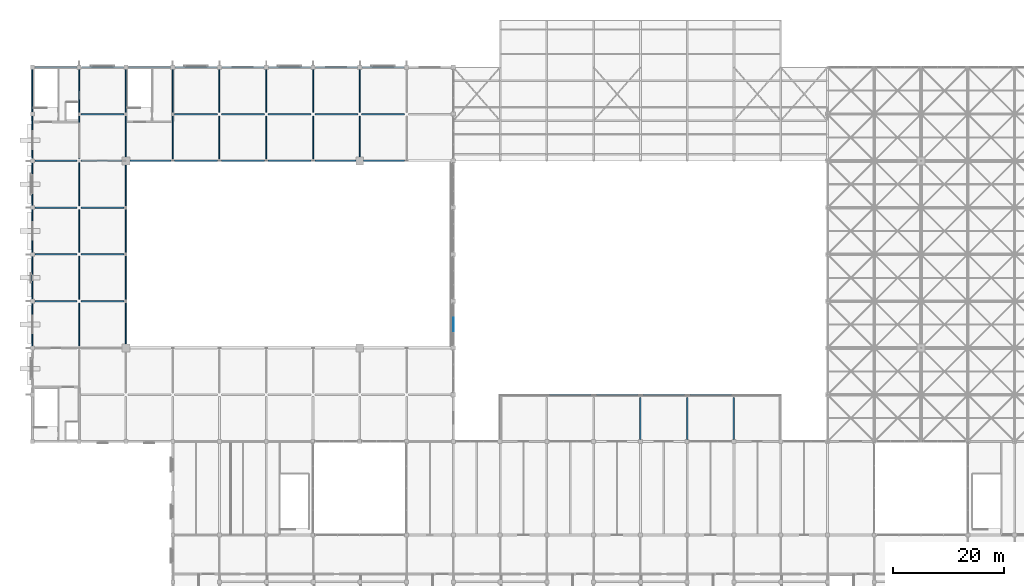
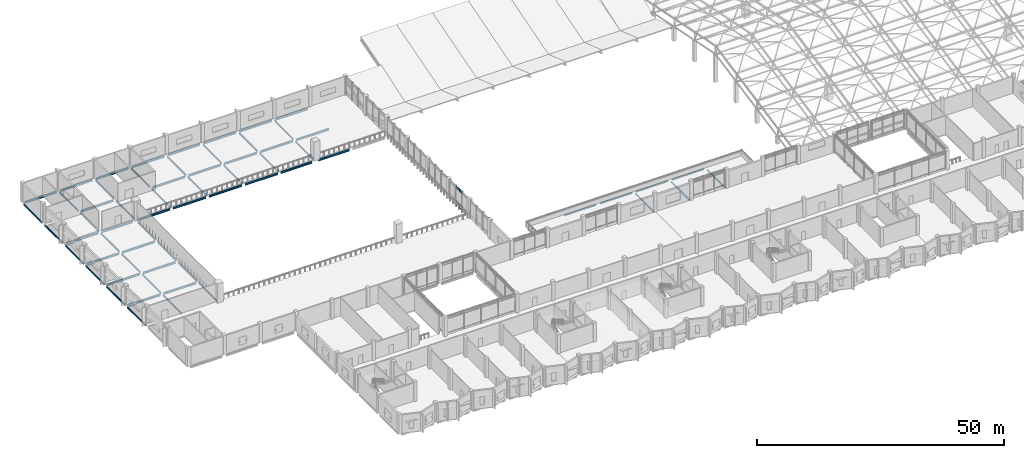
# One storey, part 13 of 110: 63 beams, 4 members, 1 element without a shape of its own.
"""IFC4 building model written with IfcOpenShell, lengths in metres."""

from ifc_helpers import new_model, si_unit, direction, frame, origin, origin_2d, place, context, subcontext, project, spatial, rectangle, i_section, extrude, material, layer, layer_set, material_profile, profile_set, type_object, element, aggregate, save


model = new_model("IFC4")

# Units and contexts
model_context = context("Model", 3, precision=1e-05, world=origin(), true_north=direction((0.0, 1.0)))
body_context = subcontext(model_context, "Body", "Model", "MODEL_VIEW")
ifc_project = project(units=[si_unit("LENGTHUNIT", "METRE"), si_unit("AREAUNIT", "SQUARE_METRE"), si_unit("VOLUMEUNIT", "CUBIC_METRE"), si_unit("PLANEANGLEUNIT", "RADIAN"), si_unit("MASSUNIT", "GRAM", prefix="KILO")], contexts=[model_context])

# Site, building, storey
site_placement = place(None, origin())
site = spatial("IfcSite", under=ifc_project, at=site_placement, CompositionType="ELEMENT")
building_placement = place(site_placement, origin())
building = spatial("IfcBuilding", under=site, at=building_placement, Name="Qawsi Khor Wholesale Market", CompositionType="ELEMENT")
storey_placement = place(building_placement, frame((0.0, 0.0, 11.39990234375)))
storey = spatial("IfcBuildingStorey", under=building, at=storey_placement, Name="L02", CompositionType="ELEMENT", Elevation=11.39990234375)

# Curtain wall, members
ifc_material_1 = material(Name="Aluminium Anodised Bronze", Category="aluminium")
ifc_layer = layer(ifc_material_1, 0.199951171875, Name="Aluminium Anodised Bronze")
ifc_layer_set = layer_set([ifc_layer], Name="Aluminium Anodised Bronze")
curtain_wall_type = type_object("IfcCurtainWallType", Name="Trading Hall North-Light Curtain Wall CW-03", PredefinedType="NOTDEFINED", material=ifc_layer_set)
curtain_wall_placement = place(storey_placement, origin())
curtain_wall = element("IfcCurtainWall", 1, at=curtain_wall_placement, inside=storey, type_object=curtain_wall_type, Name="Curtain wall CW-CW-03-L02-079", PredefinedType="NOTDEFINED")
ifc_material_profile_1 = material_profile(ifc_material_1, rectangle(XDim=0.070068359375, YDim=0.14990234375, at=origin_2d()), Name="ALU TRANSOM 70x150")
ifc_profile_set_1 = profile_set([ifc_material_profile_1], Name="Aluminium Anodised Bronze")
member_type = type_object("IfcMemberType", Name="Curtain Wall Transom CW-03 ALU TRANSOM 70x150", PredefinedType="USERDEFINED", material=ifc_profile_set_1)
member_1_placement = place(storey_placement, frame((75.60009765625, 61.757568359375, 0.0), z_axis=(0.0, 1.0, 0.0), x_axis=(-1.0, 0.0, 0.0)))
member_1 = element("IfcMember", 2, at=member_1_placement, type_object=member_type, Name="Transom CW-CW-03-L02-079-T0_01", ObjectType="TRANSOM", PredefinedType="USERDEFINED", context=body_context, shape_type="SweptSolid", body=[
    extrude(rectangle(XDim=0.070068359375, YDim=0.14990234375, at=origin_2d()), origin(), (0.0, 0.0, 1.0), 2.48486328125),
])
member_2_placement = place(storey_placement, frame((75.60009765625, 61.757568359375, 0.85009765625), z_axis=(0.0, 1.0, 0.0), x_axis=(-1.0, 0.0, 0.0)))
member_2 = element("IfcMember", 3, at=member_2_placement, type_object=member_type, Name="Transom CW-CW-03-L02-079-T1_01", ObjectType="TRANSOM", PredefinedType="USERDEFINED", context=body_context, shape_type="SweptSolid", body=[
    extrude(rectangle(XDim=0.070068359375, YDim=0.14990234375, at=origin_2d()), origin(), (0.0, 0.0, 1.0), 2.48486328125),
])
member_3_placement = place(storey_placement, frame((75.60009765625, 61.757568359375, 4.070068359375), z_axis=(0.0, 1.0, 0.0), x_axis=(-1.0, 0.0, 0.0)))
member_3 = element("IfcMember", 4, at=member_3_placement, type_object=member_type, Name="Transom CW-CW-03-L02-079-T2_01", ObjectType="TRANSOM", PredefinedType="USERDEFINED", context=body_context, shape_type="SweptSolid", body=[
    extrude(rectangle(XDim=0.070068359375, YDim=0.14990234375, at=origin_2d()), origin(), (0.0, 0.0, 1.0), 2.48486328125),
])
member_4_placement = place(storey_placement, frame((75.60009765625, 61.757568359375, 4.52001953125), z_axis=(0.0, 1.0, 0.0), x_axis=(-1.0, 0.0, 0.0)))
member_4 = element("IfcMember", 5, at=member_4_placement, type_object=member_type, Name="Transom CW-CW-03-L02-079-T3_01", ObjectType="TRANSOM", PredefinedType="USERDEFINED", context=body_context, shape_type="SweptSolid", body=[
    extrude(rectangle(XDim=0.070068359375, YDim=0.14990234375, at=origin_2d()), origin(), (0.0, 0.0, 1.0), 2.48486328125),
])
aggregate(curtain_wall, [member_1, member_2, member_3, member_4])

# Beams
ifc_material_2 = material(Name="Steel S355", Category="steel")
ifc_material_profile_2 = material_profile(ifc_material_2, i_section(OverallWidth=0.280029296875, OverallDepth=0.27001953125, WebThickness=0.008056640625, FlangeThickness=0.012939453125, FilletRadius=0.02392578125, at=origin_2d()), Name="HEA 280")
ifc_profile_set_2 = profile_set([ifc_material_profile_2], Name="Steel S355")
beam_type_1 = type_object("IfcBeamType", Name="Primary Girder HEA 280", PredefinedType="BEAM", material=ifc_profile_set_2)
for number, where, z_axis, x_axis, name in (
    (6, (109.199951171875, 42.39990234375, -0.385009765625), (0.0, 1.0, 0.0), (-1.0, 0.0, 0.0), "BM-Y-L02-13_+05"),
    (7, (117.60009765625, 42.39990234375, -0.385009765625), (0.0, 1.0, 0.0), (-1.0, 0.0, 0.0), "BM-Y-L02-14_+05"),
    (8, (126.0, 42.39990234375, -0.385009765625), (0.0, 1.0, 0.0), (-1.0, 0.0, 0.0), "BM-Y-L02-15_+05"),
):
    element("IfcBeam", number, at=place(storey_placement, frame(where, z_axis=z_axis, x_axis=x_axis)), inside=storey, type_object=beam_type_1, Name=name, PredefinedType="BEAM", context=body_context, shape_type="SweptSolid", body=[
        extrude(i_section(OverallWidth=0.280029296875, OverallDepth=0.27001953125, WebThickness=0.008056640625, FlangeThickness=0.012939453125, FilletRadius=0.02392578125, at=origin_2d()), origin(), (0.0, 0.0, 1.0), 7.525146484375),
    ])
ifc_material_profile_3 = material_profile(ifc_material_2, i_section(OverallWidth=0.300048828125, OverallDepth=0.489990234375, WebThickness=0.011962890625, FlangeThickness=0.02294921875, FilletRadius=0.027099609375, at=origin_2d()), Name="HEA 500")
ifc_profile_set_3 = profile_set([ifc_material_profile_3], Name="Steel S355")
beam_type_2 = type_object("IfcBeamType", Name="Primary Girder HEA 500", PredefinedType="BEAM", material=ifc_profile_set_3)
for number, where, z_axis, x_axis, name in (
    (9, (0.425048828125, 67.199951171875, -0.514892578125), (1.0, 0.0, 0.0), (0.0, 1.0, 0.0), "BM-X-L02-00_+08"),
    (10, (0.425048828125, 75.60009765625, -0.514892578125), (1.0, 0.0, 0.0), (0.0, 1.0, 0.0), "BM-X-L02-00_+09"),
    (11, (0.425048828125, 84.0, -0.514892578125), (1.0, 0.0, 0.0), (0.0, 1.0, 0.0), "BM-X-L02-00_+10"),
    (12, (0.425048828125, 92.39990234375, -0.514892578125), (1.0, 0.0, 0.0), (0.0, 1.0, 0.0), "BM-X-L02-00_+11"),
):
    element("IfcBeam", number, at=place(storey_placement, frame(where, z_axis=z_axis, x_axis=x_axis)), inside=storey, type_object=beam_type_2, Name=name, PredefinedType="BEAM", context=body_context, shape_type="SweptSolid", body=[
        extrude(i_section(OverallWidth=0.300048828125, OverallDepth=0.489990234375, WebThickness=0.011962890625, FlangeThickness=0.02294921875, FilletRadius=0.027099609375, at=origin_2d()), origin(), (0.0, 0.0, 1.0), 7.625),
    ])
beam_1_placement = place(storey_placement, frame((0.449951171875, 109.199951171875, -0.52490234375), z_axis=(1.0, 0.0, 0.0), x_axis=(0.0, 1.0, 0.0)))
element("IfcBeam", 13, at=beam_1_placement, inside=storey, type_object=beam_type_2, Name="BM-X-L02-00_+13", PredefinedType="BEAM", context=body_context, shape_type="SweptSolid", body=[
    extrude(i_section(OverallWidth=0.300048828125, OverallDepth=0.489990234375, WebThickness=0.011962890625, FlangeThickness=0.02294921875, FilletRadius=0.027099609375, at=origin_2d()), origin(), (0.0, 0.0, 1.0), 7.525146484375),
])
for number, where, z_axis, x_axis, name in (
    (14, (8.75, 67.199951171875, -0.514892578125), (1.0, 0.0, 0.0), (0.0, 1.0, 0.0), "BM-X-L02-01_+08"),
    (15, (8.75, 75.60009765625, -0.514892578125), (1.0, 0.0, 0.0), (0.0, 1.0, 0.0), "BM-X-L02-01_+09"),
    (16, (8.75, 84.0, -0.514892578125), (1.0, 0.0, 0.0), (0.0, 1.0, 0.0), "BM-X-L02-01_+10"),
):
    element("IfcBeam", number, at=place(storey_placement, frame(where, z_axis=z_axis, x_axis=x_axis)), inside=storey, type_object=beam_type_2, Name=name, PredefinedType="BEAM", context=body_context, shape_type="SweptSolid", body=[
        extrude(i_section(OverallWidth=0.300048828125, OverallDepth=0.489990234375, WebThickness=0.011962890625, FlangeThickness=0.02294921875, FilletRadius=0.027099609375, at=origin_2d()), origin(), (0.0, 0.0, 1.0), 7.699951171875),
    ])
beam_2_placement = place(storey_placement, frame((8.75, 92.39990234375, -0.514892578125), z_axis=(1.0, 0.0, 0.0), x_axis=(0.0, 1.0, 0.0)))
element("IfcBeam", 17, at=beam_2_placement, inside=storey, type_object=beam_type_2, Name="BM-X-L02-01_+11", PredefinedType="BEAM", context=body_context, shape_type="SweptSolid", body=[
    extrude(i_section(OverallWidth=0.300048828125, OverallDepth=0.489990234375, WebThickness=0.011962890625, FlangeThickness=0.02294921875, FilletRadius=0.027099609375, at=origin_2d()), origin(), (0.0, 0.0, 1.0), 7.35009765625),
])
beam_3_placement = place(storey_placement, frame((8.75, 100.800048828125, -0.514892578125), z_axis=(1.0, 0.0, 0.0), x_axis=(0.0, 1.0, 0.0)))
element("IfcBeam", 18, at=beam_3_placement, inside=storey, type_object=beam_type_2, Name="BM-X-L02-01_+12", PredefinedType="BEAM", context=body_context, shape_type="SweptSolid", body=[
    extrude(i_section(OverallWidth=0.300048828125, OverallDepth=0.489990234375, WebThickness=0.011962890625, FlangeThickness=0.02294921875, FilletRadius=0.027099609375, at=origin_2d()), origin(), (0.0, 0.0, 1.0), 7.699951171875),
])
beam_4_placement = place(storey_placement, frame((8.824951171875, 109.199951171875, -0.514892578125), z_axis=(1.0, 0.0, 0.0), x_axis=(0.0, 1.0, 0.0)))
element("IfcBeam", 19, at=beam_4_placement, inside=storey, type_object=beam_type_2, Name="BM-X-L02-01_+13", PredefinedType="BEAM", context=body_context, shape_type="SweptSolid", body=[
    extrude(i_section(OverallWidth=0.300048828125, OverallDepth=0.489990234375, WebThickness=0.011962890625, FlangeThickness=0.02294921875, FilletRadius=0.027099609375, at=origin_2d()), origin(), (0.0, 0.0, 1.0), 7.550048828125),
])
beam_5_placement = place(storey_placement, frame((17.5, 92.39990234375, -0.514892578125), z_axis=(1.0, 0.0, 0.0), x_axis=(0.0, 1.0, 0.0)))
element("IfcBeam", 20, at=beam_5_placement, inside=storey, type_object=beam_type_2, Name="BM-X-L02-02_+11", PredefinedType="BEAM", context=body_context, shape_type="SweptSolid", body=[
    extrude(i_section(OverallWidth=0.300048828125, OverallDepth=0.489990234375, WebThickness=0.011962890625, FlangeThickness=0.02294921875, FilletRadius=0.027099609375, at=origin_2d()), origin(), (0.0, 0.0, 1.0), 7.35009765625),
])
beam_6_placement = place(storey_placement, frame((17.22509765625, 109.199951171875, -0.52490234375), z_axis=(1.0, 0.0, 0.0), x_axis=(0.0, 1.0, 0.0)))
element("IfcBeam", 21, at=beam_6_placement, inside=storey, type_object=beam_type_2, Name="BM-X-L02-02_+13", PredefinedType="BEAM", context=body_context, shape_type="SweptSolid", body=[
    extrude(i_section(OverallWidth=0.300048828125, OverallDepth=0.489990234375, WebThickness=0.011962890625, FlangeThickness=0.02294921875, FilletRadius=0.027099609375, at=origin_2d()), origin(), (0.0, 0.0, 1.0), 7.5498046875),
])
for number, where, z_axis, x_axis, name in (
    (22, (25.550048828125, 92.39990234375, -0.514892578125), (1.0, 0.0, 0.0), (0.0, 1.0, 0.0), "BM-X-L02-03_+11"),
    (23, (25.550048828125, 100.800048828125, -0.514892578125), (1.0, 0.0, 0.0), (0.0, 1.0, 0.0), "BM-X-L02-03_+12"),
):
    element("IfcBeam", number, at=place(storey_placement, frame(where, z_axis=z_axis, x_axis=x_axis)), inside=storey, type_object=beam_type_2, Name=name, PredefinedType="BEAM", context=body_context, shape_type="SweptSolid", body=[
        extrude(i_section(OverallWidth=0.300048828125, OverallDepth=0.489990234375, WebThickness=0.011962890625, FlangeThickness=0.02294921875, FilletRadius=0.027099609375, at=origin_2d()), origin(), (0.0, 0.0, 1.0), 7.699951171875),
    ])
beam_7_placement = place(storey_placement, frame((25.625, 109.199951171875, -0.514892578125), z_axis=(1.0, 0.0, 0.0), x_axis=(0.0, 1.0, 0.0)))
element("IfcBeam", 24, at=beam_7_placement, inside=storey, type_object=beam_type_2, Name="BM-X-L02-03_+13", PredefinedType="BEAM", context=body_context, shape_type="SweptSolid", body=[
    extrude(i_section(OverallWidth=0.300048828125, OverallDepth=0.489990234375, WebThickness=0.011962890625, FlangeThickness=0.02294921875, FilletRadius=0.027099609375, at=origin_2d()), origin(), (0.0, 0.0, 1.0), 7.550048828125),
])
for number, where, z_axis, x_axis, name in (
    (25, (33.949951171875, 92.39990234375, -0.514892578125), (1.0, 0.0, 0.0), (0.0, 1.0, 0.0), "BM-X-L02-04_+11"),
    (26, (33.949951171875, 100.800048828125, -0.514892578125), (1.0, 0.0, 0.0), (0.0, 1.0, 0.0), "BM-X-L02-04_+12"),
):
    element("IfcBeam", number, at=place(storey_placement, frame(where, z_axis=z_axis, x_axis=x_axis)), inside=storey, type_object=beam_type_2, Name=name, PredefinedType="BEAM", context=body_context, shape_type="SweptSolid", body=[
        extrude(i_section(OverallWidth=0.300048828125, OverallDepth=0.489990234375, WebThickness=0.011962890625, FlangeThickness=0.02294921875, FilletRadius=0.027099609375, at=origin_2d()), origin(), (0.0, 0.0, 1.0), 7.699951171875),
    ])
beam_8_placement = place(storey_placement, frame((34.02490234375, 109.199951171875, -0.514892578125), z_axis=(1.0, 0.0, 0.0), x_axis=(0.0, 1.0, 0.0)))
element("IfcBeam", 27, at=beam_8_placement, inside=storey, type_object=beam_type_2, Name="BM-X-L02-04_+13", PredefinedType="BEAM", context=body_context, shape_type="SweptSolid", body=[
    extrude(i_section(OverallWidth=0.300048828125, OverallDepth=0.489990234375, WebThickness=0.011962890625, FlangeThickness=0.02294921875, FilletRadius=0.027099609375, at=origin_2d()), origin(), (0.0, 0.0, 1.0), 7.550048828125),
])
for number, where, z_axis, x_axis, name in (
    (28, (42.35009765625, 92.39990234375, -0.514892578125), (1.0, 0.0, 0.0), (0.0, 1.0, 0.0), "BM-X-L02-05_+11"),
    (29, (42.35009765625, 100.800048828125, -0.514892578125), (1.0, 0.0, 0.0), (0.0, 1.0, 0.0), "BM-X-L02-05_+12"),
):
    element("IfcBeam", number, at=place(storey_placement, frame(where, z_axis=z_axis, x_axis=x_axis)), inside=storey, type_object=beam_type_2, Name=name, PredefinedType="BEAM", context=body_context, shape_type="SweptSolid", body=[
        extrude(i_section(OverallWidth=0.300048828125, OverallDepth=0.489990234375, WebThickness=0.011962890625, FlangeThickness=0.02294921875, FilletRadius=0.027099609375, at=origin_2d()), origin(), (0.0, 0.0, 1.0), 7.699951171875),
    ])
beam_9_placement = place(storey_placement, frame((42.425048828125, 109.199951171875, -0.514892578125), z_axis=(1.0, 0.0, 0.0), x_axis=(0.0, 1.0, 0.0)))
element("IfcBeam", 30, at=beam_9_placement, inside=storey, type_object=beam_type_2, Name="BM-X-L02-05_+13", PredefinedType="BEAM", context=body_context, shape_type="SweptSolid", body=[
    extrude(i_section(OverallWidth=0.300048828125, OverallDepth=0.489990234375, WebThickness=0.011962890625, FlangeThickness=0.02294921875, FilletRadius=0.027099609375, at=origin_2d()), origin(), (0.0, 0.0, 1.0), 7.550048828125),
])
beam_10_placement = place(storey_placement, frame((50.75, 92.39990234375, -0.514892578125), z_axis=(1.0, 0.0, 0.0), x_axis=(0.0, 1.0, 0.0)))
element("IfcBeam", 31, at=beam_10_placement, inside=storey, type_object=beam_type_2, Name="BM-X-L02-06_+11", PredefinedType="BEAM", context=body_context, shape_type="SweptSolid", body=[
    extrude(i_section(OverallWidth=0.300048828125, OverallDepth=0.489990234375, WebThickness=0.011962890625, FlangeThickness=0.02294921875, FilletRadius=0.027099609375, at=origin_2d()), origin(), (0.0, 0.0, 1.0), 7.35009765625),
])
beam_11_placement = place(storey_placement, frame((50.75, 100.800048828125, -0.514892578125), z_axis=(1.0, 0.0, 0.0), x_axis=(0.0, 1.0, 0.0)))
element("IfcBeam", 32, at=beam_11_placement, inside=storey, type_object=beam_type_2, Name="BM-X-L02-06_+12", PredefinedType="BEAM", context=body_context, shape_type="SweptSolid", body=[
    extrude(i_section(OverallWidth=0.300048828125, OverallDepth=0.489990234375, WebThickness=0.011962890625, FlangeThickness=0.02294921875, FilletRadius=0.027099609375, at=origin_2d()), origin(), (0.0, 0.0, 1.0), 7.699951171875),
])
beam_12_placement = place(storey_placement, frame((50.824951171875, 109.199951171875, -0.514892578125), z_axis=(1.0, 0.0, 0.0), x_axis=(0.0, 1.0, 0.0)))
element("IfcBeam", 33, at=beam_12_placement, inside=storey, type_object=beam_type_2, Name="BM-X-L02-06_+13", PredefinedType="BEAM", context=body_context, shape_type="SweptSolid", body=[
    extrude(i_section(OverallWidth=0.300048828125, OverallDepth=0.489990234375, WebThickness=0.011962890625, FlangeThickness=0.02294921875, FilletRadius=0.027099609375, at=origin_2d()), origin(), (0.0, 0.0, 1.0), 7.550048828125),
])
beam_13_placement = place(storey_placement, frame((59.5, 92.39990234375, -0.514892578125), z_axis=(1.0, 0.0, 0.0), x_axis=(0.0, 1.0, 0.0)))
element("IfcBeam", 34, at=beam_13_placement, inside=storey, type_object=beam_type_2, Name="BM-X-L02-07_+11", PredefinedType="BEAM", context=body_context, shape_type="SweptSolid", body=[
    extrude(i_section(OverallWidth=0.300048828125, OverallDepth=0.489990234375, WebThickness=0.011962890625, FlangeThickness=0.02294921875, FilletRadius=0.027099609375, at=origin_2d()), origin(), (0.0, 0.0, 1.0), 7.35009765625),
])
beam_14_placement = place(storey_placement, frame((59.14990234375, 100.800048828125, -0.514892578125), z_axis=(1.0, 0.0, 0.0), x_axis=(0.0, 1.0, 0.0)))
element("IfcBeam", 35, at=beam_14_placement, inside=storey, type_object=beam_type_2, Name="BM-X-L02-07_+12", PredefinedType="BEAM", context=body_context, shape_type="SweptSolid", body=[
    extrude(i_section(OverallWidth=0.300048828125, OverallDepth=0.489990234375, WebThickness=0.011962890625, FlangeThickness=0.02294921875, FilletRadius=0.027099609375, at=origin_2d()), origin(), (0.0, 0.0, 1.0), 7.7001953125),
])
beam_15_placement = place(storey_placement, frame((59.22509765625, 109.199951171875, -0.514892578125), z_axis=(1.0, 0.0, 0.0), x_axis=(0.0, 1.0, 0.0)))
element("IfcBeam", 36, at=beam_15_placement, inside=storey, type_object=beam_type_2, Name="BM-X-L02-07_+13", PredefinedType="BEAM", context=body_context, shape_type="SweptSolid", body=[
    extrude(i_section(OverallWidth=0.300048828125, OverallDepth=0.489990234375, WebThickness=0.011962890625, FlangeThickness=0.02294921875, FilletRadius=0.027099609375, at=origin_2d()), origin(), (0.0, 0.0, 1.0), 7.5498046875),
])
ifc_material_profile_4 = material_profile(ifc_material_2, i_section(OverallWidth=0.179931640625, OverallDepth=0.39990234375, WebThickness=0.008544921875, FlangeThickness=0.013427734375, FilletRadius=0.02099609375, at=origin_2d()), Name="IPE 400")
ifc_profile_set_4 = profile_set([ifc_material_profile_4], Name="Steel S355")
beam_type_3 = type_object("IfcBeamType", Name="Secondary Beam IPE 400", PredefinedType="BEAM", material=ifc_profile_set_4)
beam_16_placement = place(storey_placement, frame((0.0, 59.22509765625, -0.469970703125), z_axis=(0.0, 1.0, 0.0), x_axis=(-1.0, 0.0, 0.0)))
element("IfcBeam", 37, at=beam_16_placement, inside=storey, type_object=beam_type_3, Name="BM-Y-L02-00_+07", PredefinedType="BEAM", context=body_context, shape_type="SweptSolid", body=[
    extrude(i_section(OverallWidth=0.179931640625, OverallDepth=0.39990234375, WebThickness=0.008544921875, FlangeThickness=0.013427734375, FilletRadius=0.02099609375, at=origin_2d()), origin(), (0.0, 0.0, 1.0), 7.5498046875),
])
for number, where, z_axis, x_axis, name in (
    (38, (0.0, 67.625, -0.469970703125), (0.0, 1.0, 0.0), (-1.0, 0.0, 0.0), "BM-Y-L02-00_+08"),
    (39, (0.0, 76.02490234375, -0.469970703125), (0.0, 1.0, 0.0), (-1.0, 0.0, 0.0), "BM-Y-L02-00_+09"),
    (40, (0.0, 84.425048828125, -0.469970703125), (0.0, 1.0, 0.0), (-1.0, 0.0, 0.0), "BM-Y-L02-00_+10"),
    (41, (0.0, 92.824951171875, -0.469970703125), (0.0, 1.0, 0.0), (-1.0, 0.0, 0.0), "BM-Y-L02-00_+11"),
):
    element("IfcBeam", number, at=place(storey_placement, frame(where, z_axis=z_axis, x_axis=x_axis)), inside=storey, type_object=beam_type_3, Name=name, PredefinedType="BEAM", context=body_context, shape_type="SweptSolid", body=[
        extrude(i_section(OverallWidth=0.179931640625, OverallDepth=0.39990234375, WebThickness=0.008544921875, FlangeThickness=0.013427734375, FilletRadius=0.02099609375, at=origin_2d()), origin(), (0.0, 0.0, 1.0), 7.550048828125),
    ])
beam_17_placement = place(storey_placement, frame((0.0, 101.22509765625, -0.47998046875), z_axis=(0.0, 1.0, 0.0), x_axis=(-1.0, 0.0, 0.0)))
element("IfcBeam", 42, at=beam_17_placement, inside=storey, type_object=beam_type_3, Name="BM-Y-L02-00_+12", PredefinedType="BEAM", context=body_context, shape_type="SweptSolid", body=[
    extrude(i_section(OverallWidth=0.179931640625, OverallDepth=0.39990234375, WebThickness=0.008544921875, FlangeThickness=0.013427734375, FilletRadius=0.02099609375, at=origin_2d()), origin(), (0.0, 0.0, 1.0), 7.52490234375),
])
beam_18_placement = place(storey_placement, frame((8.39990234375, 59.14990234375, -0.469970703125), z_axis=(0.0, 1.0, 0.0), x_axis=(-1.0, 0.0, 0.0)))
element("IfcBeam", 43, at=beam_18_placement, inside=storey, type_object=beam_type_3, Name="BM-Y-L02-01_+07", PredefinedType="BEAM", context=body_context, shape_type="SweptSolid", body=[
    extrude(i_section(OverallWidth=0.179931640625, OverallDepth=0.39990234375, WebThickness=0.008544921875, FlangeThickness=0.013427734375, FilletRadius=0.02099609375, at=origin_2d()), origin(), (0.0, 0.0, 1.0), 7.7001953125),
])
for number, where, z_axis, x_axis, name in (
    (44, (8.39990234375, 67.550048828125, -0.469970703125), (0.0, 1.0, 0.0), (-1.0, 0.0, 0.0), "BM-Y-L02-01_+08"),
    (45, (8.39990234375, 75.949951171875, -0.469970703125), (0.0, 1.0, 0.0), (-1.0, 0.0, 0.0), "BM-Y-L02-01_+09"),
    (46, (8.39990234375, 84.35009765625, -0.469970703125), (0.0, 1.0, 0.0), (-1.0, 0.0, 0.0), "BM-Y-L02-01_+10"),
    (47, (8.39990234375, 92.75, -0.469970703125), (0.0, 1.0, 0.0), (-1.0, 0.0, 0.0), "BM-Y-L02-01_+11"),
):
    element("IfcBeam", number, at=place(storey_placement, frame(where, z_axis=z_axis, x_axis=x_axis)), inside=storey, type_object=beam_type_3, Name=name, PredefinedType="BEAM", context=body_context, shape_type="SweptSolid", body=[
        extrude(i_section(OverallWidth=0.179931640625, OverallDepth=0.39990234375, WebThickness=0.008544921875, FlangeThickness=0.013427734375, FilletRadius=0.02099609375, at=origin_2d()), origin(), (0.0, 0.0, 1.0), 7.699951171875),
    ])
beam_19_placement = place(storey_placement, frame((8.39990234375, 101.14990234375, -0.47998046875), z_axis=(0.0, 1.0, 0.0), x_axis=(-1.0, 0.0, 0.0)))
element("IfcBeam", 48, at=beam_19_placement, inside=storey, type_object=beam_type_3, Name="BM-Y-L02-01_+12", PredefinedType="BEAM", context=body_context, shape_type="SweptSolid", body=[
    extrude(i_section(OverallWidth=0.179931640625, OverallDepth=0.39990234375, WebThickness=0.008544921875, FlangeThickness=0.013427734375, FilletRadius=0.02099609375, at=origin_2d()), origin(), (0.0, 0.0, 1.0), 7.625),
])
beam_20_placement = place(storey_placement, frame((16.800048828125, 59.5, -0.469970703125), z_axis=(0.0, 1.0, 0.0), x_axis=(-1.0, 0.0, 0.0)))
element("IfcBeam", 49, at=beam_20_placement, inside=storey, type_object=beam_type_3, Name="BM-Y-L02-02_+07", PredefinedType="BEAM", context=body_context, shape_type="SweptSolid", body=[
    extrude(i_section(OverallWidth=0.179931640625, OverallDepth=0.39990234375, WebThickness=0.008544921875, FlangeThickness=0.013427734375, FilletRadius=0.02099609375, at=origin_2d()), origin(), (0.0, 0.0, 1.0), 7.35009765625),
])
for number, where, z_axis, x_axis, name in (
    (50, (16.800048828125, 67.550048828125, -0.469970703125), (0.0, 1.0, 0.0), (-1.0, 0.0, 0.0), "BM-Y-L02-02_+08"),
    (51, (16.800048828125, 75.949951171875, -0.469970703125), (0.0, 1.0, 0.0), (-1.0, 0.0, 0.0), "BM-Y-L02-02_+09"),
):
    element("IfcBeam", number, at=place(storey_placement, frame(where, z_axis=z_axis, x_axis=x_axis)), inside=storey, type_object=beam_type_3, Name=name, PredefinedType="BEAM", context=body_context, shape_type="SweptSolid", body=[
        extrude(i_section(OverallWidth=0.179931640625, OverallDepth=0.39990234375, WebThickness=0.008544921875, FlangeThickness=0.013427734375, FilletRadius=0.02099609375, at=origin_2d()), origin(), (0.0, 0.0, 1.0), 7.699951171875),
    ])
for number, where, z_axis, x_axis, name in (
    (52, (16.800048828125, 84.35009765625, -0.469970703125), (0.0, 1.0, 0.0), (-1.0, 0.0, 0.0), "BM-Y-L02-02_+10"),
    (53, (16.800048828125, 93.10009765625, -0.469970703125), (0.0, 1.0, 0.0), (-1.0, 0.0, 0.0), "BM-Y-L02-02_+11"),
):
    element("IfcBeam", number, at=place(storey_placement, frame(where, z_axis=z_axis, x_axis=x_axis)), inside=storey, type_object=beam_type_3, Name=name, PredefinedType="BEAM", context=body_context, shape_type="SweptSolid", body=[
        extrude(i_section(OverallWidth=0.179931640625, OverallDepth=0.39990234375, WebThickness=0.008544921875, FlangeThickness=0.013427734375, FilletRadius=0.02099609375, at=origin_2d()), origin(), (0.0, 0.0, 1.0), 7.349853515625),
    ])
beam_21_placement = place(storey_placement, frame((16.800048828125, 101.14990234375, -0.47998046875), z_axis=(0.0, 1.0, 0.0), x_axis=(-1.0, 0.0, 0.0)))
element("IfcBeam", 54, at=beam_21_placement, inside=storey, type_object=beam_type_3, Name="BM-Y-L02-02_+12", PredefinedType="BEAM", context=body_context, shape_type="SweptSolid", body=[
    extrude(i_section(OverallWidth=0.179931640625, OverallDepth=0.39990234375, WebThickness=0.008544921875, FlangeThickness=0.013427734375, FilletRadius=0.02099609375, at=origin_2d()), origin(), (0.0, 0.0, 1.0), 7.625),
])
beam_22_placement = place(storey_placement, frame((25.199951171875, 92.75, -0.469970703125), z_axis=(0.0, 1.0, 0.0), x_axis=(-1.0, 0.0, 0.0)))
element("IfcBeam", 55, at=beam_22_placement, inside=storey, type_object=beam_type_3, Name="BM-Y-L02-03_+11", PredefinedType="BEAM", context=body_context, shape_type="SweptSolid", body=[
    extrude(i_section(OverallWidth=0.179931640625, OverallDepth=0.39990234375, WebThickness=0.008544921875, FlangeThickness=0.013427734375, FilletRadius=0.02099609375, at=origin_2d()), origin(), (0.0, 0.0, 1.0), 7.699951171875),
])
beam_23_placement = place(storey_placement, frame((25.199951171875, 101.14990234375, -0.47998046875), z_axis=(0.0, 1.0, 0.0), x_axis=(-1.0, 0.0, 0.0)))
element("IfcBeam", 56, at=beam_23_placement, inside=storey, type_object=beam_type_3, Name="BM-Y-L02-03_+12", PredefinedType="BEAM", context=body_context, shape_type="SweptSolid", body=[
    extrude(i_section(OverallWidth=0.179931640625, OverallDepth=0.39990234375, WebThickness=0.008544921875, FlangeThickness=0.013427734375, FilletRadius=0.02099609375, at=origin_2d()), origin(), (0.0, 0.0, 1.0), 7.625),
])
beam_24_placement = place(storey_placement, frame((33.60009765625, 92.75, -0.469970703125), z_axis=(0.0, 1.0, 0.0), x_axis=(-1.0, 0.0, 0.0)))
element("IfcBeam", 57, at=beam_24_placement, inside=storey, type_object=beam_type_3, Name="BM-Y-L02-04_+11", PredefinedType="BEAM", context=body_context, shape_type="SweptSolid", body=[
    extrude(i_section(OverallWidth=0.179931640625, OverallDepth=0.39990234375, WebThickness=0.008544921875, FlangeThickness=0.013427734375, FilletRadius=0.02099609375, at=origin_2d()), origin(), (0.0, 0.0, 1.0), 7.699951171875),
])
beam_25_placement = place(storey_placement, frame((33.60009765625, 101.14990234375, -0.469970703125), z_axis=(0.0, 1.0, 0.0), x_axis=(-1.0, 0.0, 0.0)))
element("IfcBeam", 58, at=beam_25_placement, inside=storey, type_object=beam_type_3, Name="BM-Y-L02-04_+12", PredefinedType="BEAM", context=body_context, shape_type="SweptSolid", body=[
    extrude(i_section(OverallWidth=0.179931640625, OverallDepth=0.39990234375, WebThickness=0.008544921875, FlangeThickness=0.013427734375, FilletRadius=0.02099609375, at=origin_2d()), origin(), (0.0, 0.0, 1.0), 7.625),
])
beam_26_placement = place(storey_placement, frame((42.0, 92.75, -0.469970703125), z_axis=(0.0, 1.0, 0.0), x_axis=(-1.0, 0.0, 0.0)))
element("IfcBeam", 59, at=beam_26_placement, inside=storey, type_object=beam_type_3, Name="BM-Y-L02-05_+11", PredefinedType="BEAM", context=body_context, shape_type="SweptSolid", body=[
    extrude(i_section(OverallWidth=0.179931640625, OverallDepth=0.39990234375, WebThickness=0.008544921875, FlangeThickness=0.013427734375, FilletRadius=0.02099609375, at=origin_2d()), origin(), (0.0, 0.0, 1.0), 7.699951171875),
])
beam_27_placement = place(storey_placement, frame((42.0, 101.14990234375, -0.469970703125), z_axis=(0.0, 1.0, 0.0), x_axis=(-1.0, 0.0, 0.0)))
element("IfcBeam", 60, at=beam_27_placement, inside=storey, type_object=beam_type_3, Name="BM-Y-L02-05_+12", PredefinedType="BEAM", context=body_context, shape_type="SweptSolid", body=[
    extrude(i_section(OverallWidth=0.179931640625, OverallDepth=0.39990234375, WebThickness=0.008544921875, FlangeThickness=0.013427734375, FilletRadius=0.02099609375, at=origin_2d()), origin(), (0.0, 0.0, 1.0), 7.625),
])
beam_28_placement = place(storey_placement, frame((50.39990234375, 92.75, -0.469970703125), z_axis=(0.0, 1.0, 0.0), x_axis=(-1.0, 0.0, 0.0)))
element("IfcBeam", 61, at=beam_28_placement, inside=storey, type_object=beam_type_3, Name="BM-Y-L02-06_+11", PredefinedType="BEAM", context=body_context, shape_type="SweptSolid", body=[
    extrude(i_section(OverallWidth=0.179931640625, OverallDepth=0.39990234375, WebThickness=0.008544921875, FlangeThickness=0.013427734375, FilletRadius=0.02099609375, at=origin_2d()), origin(), (0.0, 0.0, 1.0), 7.699951171875),
])
beam_29_placement = place(storey_placement, frame((50.39990234375, 101.14990234375, -0.469970703125), z_axis=(0.0, 1.0, 0.0), x_axis=(-1.0, 0.0, 0.0)))
element("IfcBeam", 62, at=beam_29_placement, inside=storey, type_object=beam_type_3, Name="BM-Y-L02-06_+12", PredefinedType="BEAM", context=body_context, shape_type="SweptSolid", body=[
    extrude(i_section(OverallWidth=0.179931640625, OverallDepth=0.39990234375, WebThickness=0.008544921875, FlangeThickness=0.013427734375, FilletRadius=0.02099609375, at=origin_2d()), origin(), (0.0, 0.0, 1.0), 7.625),
])
beam_30_placement = place(storey_placement, frame((58.800048828125, 93.10009765625, -0.469970703125), z_axis=(0.0, 1.0, 0.0), x_axis=(-1.0, 0.0, 0.0)))
element("IfcBeam", 63, at=beam_30_placement, inside=storey, type_object=beam_type_3, Name="BM-Y-L02-07_+11", PredefinedType="BEAM", context=body_context, shape_type="SweptSolid", body=[
    extrude(i_section(OverallWidth=0.179931640625, OverallDepth=0.39990234375, WebThickness=0.008544921875, FlangeThickness=0.013427734375, FilletRadius=0.02099609375, at=origin_2d()), origin(), (0.0, 0.0, 1.0), 7.349853515625),
])
beam_31_placement = place(storey_placement, frame((58.800048828125, 101.14990234375, -0.469970703125), z_axis=(0.0, 1.0, 0.0), x_axis=(-1.0, 0.0, 0.0)))
element("IfcBeam", 64, at=beam_31_placement, inside=storey, type_object=beam_type_3, Name="BM-Y-L02-07_+12", PredefinedType="BEAM", context=body_context, shape_type="SweptSolid", body=[
    extrude(i_section(OverallWidth=0.179931640625, OverallDepth=0.39990234375, WebThickness=0.008544921875, FlangeThickness=0.013427734375, FilletRadius=0.02099609375, at=origin_2d()), origin(), (0.0, 0.0, 1.0), 7.625),
])
ifc_material_profile_5 = material_profile(ifc_material_2, i_section(OverallWidth=0.300048828125, OverallDepth=0.300048828125, WebThickness=0.010986328125, FlangeThickness=0.01904296875, FilletRadius=0.027099609375, at=origin_2d()), Name="HEB 300")
ifc_profile_set_5 = profile_set([ifc_material_profile_5], Name="Steel S355")
beam_type_4 = type_object("IfcBeamType", Name="Tie Beam HEB 300", PredefinedType="BEAM", material=ifc_profile_set_5)
beam_32_placement = place(storey_placement, frame((92.875, 50.39990234375, -0.39990234375), z_axis=(1.0, 0.0, 0.0), x_axis=(0.0, 1.0, 0.0)))
element("IfcBeam", 65, at=beam_32_placement, inside=storey, type_object=beam_type_4, Name="BM-X-L02-11_+06", PredefinedType="BEAM", context=body_context, shape_type="SweptSolid", body=[
    extrude(i_section(OverallWidth=0.300048828125, OverallDepth=0.300048828125, WebThickness=0.010986328125, FlangeThickness=0.01904296875, FilletRadius=0.027099609375, at=origin_2d()), origin(), (0.0, 0.0, 1.0), 7.449951171875),
])
beam_33_placement = place(storey_placement, frame((101.27490234375, 50.39990234375, -0.39990234375), z_axis=(1.0, 0.0, 0.0), x_axis=(0.0, 1.0, 0.0)))
element("IfcBeam", 66, at=beam_33_placement, inside=storey, type_object=beam_type_4, Name="BM-X-L02-12_+06", PredefinedType="BEAM", context=body_context, shape_type="SweptSolid", body=[
    extrude(i_section(OverallWidth=0.300048828125, OverallDepth=0.300048828125, WebThickness=0.010986328125, FlangeThickness=0.01904296875, FilletRadius=0.027099609375, at=origin_2d()), origin(), (0.0, 0.0, 1.0), 7.4501953125),
])
for number, where, z_axis, x_axis, name in (
    (67, (109.675048828125, 50.39990234375, -0.39990234375), (1.0, 0.0, 0.0), (0.0, 1.0, 0.0), "BM-X-L02-13_+06"),
    (68, (118.074951171875, 50.39990234375, -0.39990234375), (1.0, 0.0, 0.0), (0.0, 1.0, 0.0), "BM-X-L02-14_+06"),
):
    element("IfcBeam", number, at=place(storey_placement, frame(where, z_axis=z_axis, x_axis=x_axis)), inside=storey, type_object=beam_type_4, Name=name, PredefinedType="BEAM", context=body_context, shape_type="SweptSolid", body=[
        extrude(i_section(OverallWidth=0.300048828125, OverallDepth=0.300048828125, WebThickness=0.010986328125, FlangeThickness=0.01904296875, FilletRadius=0.027099609375, at=origin_2d()), origin(), (0.0, 0.0, 1.0), 7.449951171875),
    ])

save(model, "model.ifc")
